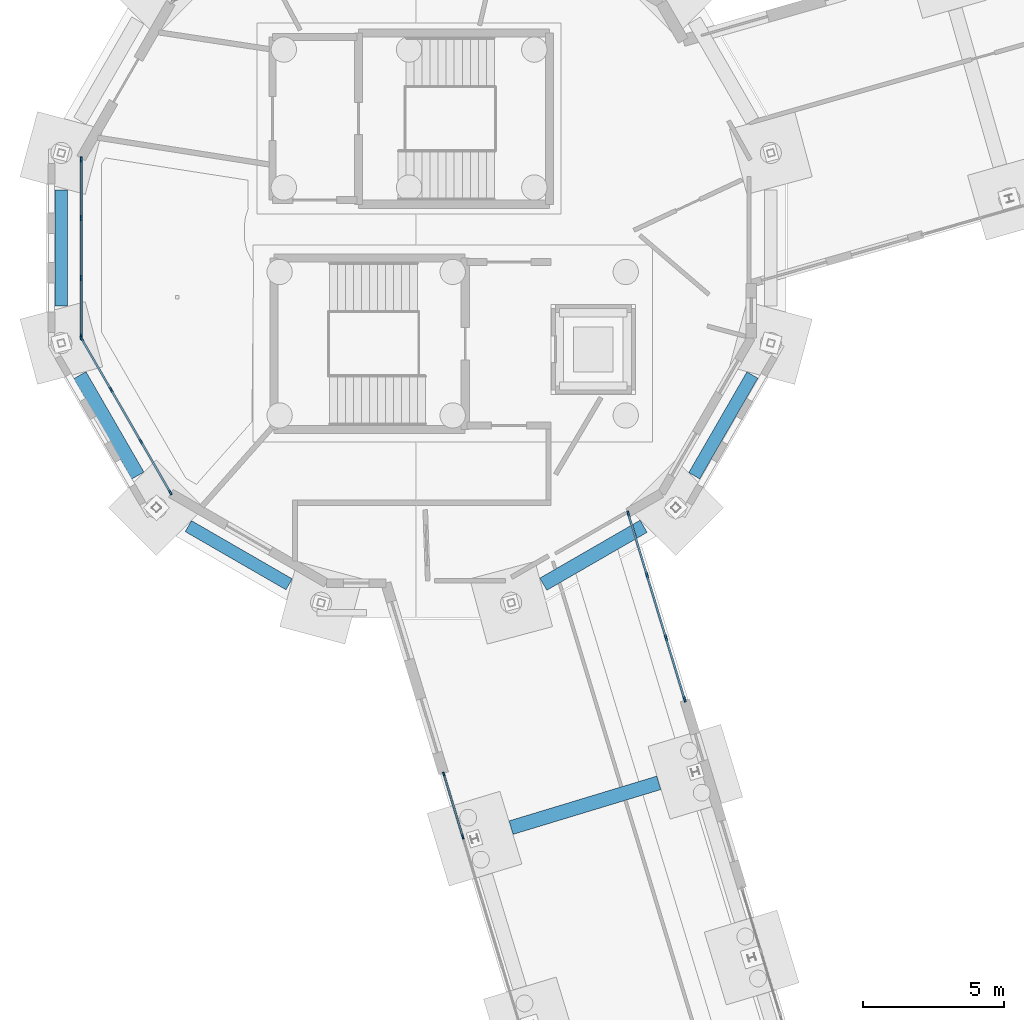
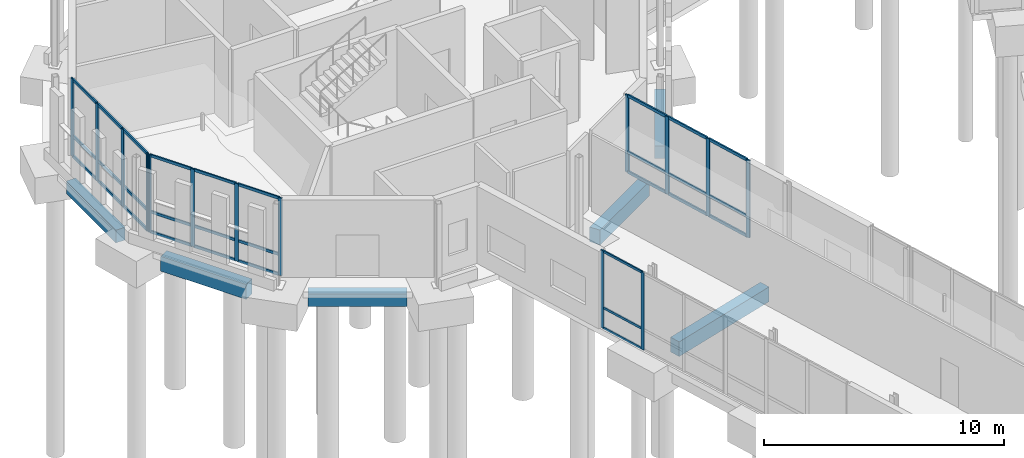
# One storey, part 39 of 113: 44 members, 6 beams, 4 elements without a shape of their own.
"""IFC4 building model written with IfcOpenShell, lengths in metres."""

from ifc_helpers import new_model, si_unit, direction, frame, origin, origin_2d, place, context, subcontext, project, spatial, rectangle, extrude, material, material_profile, profile_set, type_object, element, aggregate, save


model = new_model("IFC4")

# Units and contexts
model_context = context("Model", 3, precision=1e-05, world=origin(), true_north=direction((0.0, 1.0)))
body_context = subcontext(model_context, "Body", "Model", "MODEL_VIEW")
ifc_project = project(units=[si_unit("LENGTHUNIT", "METRE"), si_unit("AREAUNIT", "SQUARE_METRE"), si_unit("VOLUMEUNIT", "CUBIC_METRE"), si_unit("PLANEANGLEUNIT", "RADIAN"), si_unit("MASSUNIT", "GRAM", prefix="KILO")], contexts=[model_context])

# Site, building, storey
site_placement = place(None, origin())
site = spatial("IfcSite", under=ifc_project, at=site_placement, CompositionType="ELEMENT")
building_placement = place(site_placement, origin())
building = spatial("IfcBuilding", under=site, at=building_placement, Name="Wrenclough Park School", CompositionType="ELEMENT")
storey_placement = place(building_placement, origin())
storey = spatial("IfcBuildingStorey", under=building, at=storey_placement, Name="L00", CompositionType="ELEMENT", Elevation=0.0)

# Curtain wall, members
ifc_material_1 = material(Name="Thermally broken aluminium and low-e glass curtain wall", Category="aluminium")
curtain_wall_type_1 = type_object("IfcCurtainWallType", Name="ENV-CW-07", PredefinedType="USERDEFINED", material=ifc_material_1)
curtain_wall_1_placement = place(storey_placement, origin())
curtain_wall_1 = element("IfcCurtainWall", 1, at=curtain_wall_1_placement, inside=storey, type_object=curtain_wall_type_1, Name="L00 recessed curtain wall assembly 006", ObjectType="CURTAIN WALL", PredefinedType="USERDEFINED")
ifc_material_2 = material(Name="Thermally broken anodised aluminium", Category="aluminium")
ifc_material_profile_1 = material_profile(ifc_material_2, rectangle(XDim=0.06005859375, YDim=0.159912109375, at=origin_2d()), Name="AL MULLION 60x160")
ifc_profile_set_1 = profile_set([ifc_material_profile_1], Name="Thermally broken anodised aluminium")
member_type_1 = type_object("IfcMemberType", Name="ENV-CWM-1", PredefinedType="MULLION", material=ifc_profile_set_1)
member_1_placement = place(storey_placement, frame((18.157958984375, 68.5810546875, 0.0), z_axis=(0.0, 0.0, 1.0), x_axis=(-0.957026311955, -0.290001100386, 0.0)))
member_1 = element("IfcMember", 2, at=member_1_placement, type_object=member_type_1, Name="CW-07 mullion 3", PredefinedType="MULLION", context=body_context, shape_type="SweptSolid", body=[
    extrude(rectangle(XDim=0.06005859375, YDim=0.159912109375, at=origin_2d()), origin(), (0.0, 0.0, 1.0), 3.93994140625),
])
member_2_placement = place(storey_placement, frame((17.484619140625, 70.802734375, 0.0), z_axis=(0.0, 0.0, 1.0), x_axis=(-0.957026311955, -0.290001100386, 0.0)))
member_2 = element("IfcMember", 3, at=member_2_placement, type_object=member_type_1, Name="CW-07 mullion 4", PredefinedType="MULLION", context=body_context, shape_type="SweptSolid", body=[
    extrude(rectangle(XDim=0.06005859375, YDim=0.159912109375, at=origin_2d()), origin(), (0.0, 0.0, 1.0), 3.93994140625),
])

curtain_wall_type_2 = type_object("IfcCurtainWallType", Name="ENV-CW-08", PredefinedType="USERDEFINED", material=ifc_material_1)
curtain_wall_2_placement = place(storey_placement, origin())
curtain_wall_2 = element("IfcCurtainWall", 4, at=curtain_wall_2_placement, inside=storey, type_object=curtain_wall_type_2, Name="L00 recessed curtain wall assembly 007", ObjectType="CURTAIN WALL", PredefinedType="USERDEFINED")
ifc_material_profile_2 = material_profile(ifc_material_2, rectangle(XDim=0.06494140625, YDim=0.179931640625, at=origin_2d()), Name="AL MULLION 65x180")
ifc_profile_set_2 = profile_set([ifc_material_profile_2], Name="Thermally broken anodised aluminium")
member_type_2 = type_object("IfcMemberType", Name="ENV-CWM-2", PredefinedType="MULLION", material=ifc_profile_set_2)
member_3_placement = place(storey_placement, frame((7.76611328125, 80.81591796875, 0.0), z_axis=(0.0, 0.0, 1.0), x_axis=(-0.86602591075, -0.499999121909, 0.0)))
member_3 = element("IfcMember", 5, at=member_3_placement, type_object=member_type_2, Name="CW-08 mullion 1", PredefinedType="MULLION", context=body_context, shape_type="SweptSolid", body=[
    extrude(rectangle(XDim=0.06494140625, YDim=0.179931640625, at=origin_2d()), origin(), (0.0, 0.0, 1.0), 3.93994140625),
])
member_4_placement = place(storey_placement, frame((6.72021484375, 82.627197265625, 0.0), z_axis=(0.0, 0.0, 1.0), x_axis=(-0.86602591075, -0.499999121909, 0.0)))
member_4 = element("IfcMember", 6, at=member_4_placement, type_object=member_type_2, Name="CW-08 mullion 2", PredefinedType="MULLION", context=body_context, shape_type="SweptSolid", body=[
    extrude(rectangle(XDim=0.06494140625, YDim=0.179931640625, at=origin_2d()), origin(), (0.0, 0.0, 1.0), 3.93994140625),
])
member_5_placement = place(storey_placement, frame((5.658203125, 84.466796875, 0.0), z_axis=(0.0, 0.0, 1.0), x_axis=(-0.86602591075, -0.499999121909, 0.0)))
member_5 = element("IfcMember", 7, at=member_5_placement, type_object=member_type_2, Name="CW-08 mullion 3", PredefinedType="MULLION", context=body_context, shape_type="SweptSolid", body=[
    extrude(rectangle(XDim=0.06494140625, YDim=0.179931640625, at=origin_2d()), origin(), (0.0, 0.0, 1.0), 3.93994140625),
])
member_6_placement = place(storey_placement, frame((4.612548828125, 86.278076171875, 0.0), z_axis=(0.0, 0.0, 1.0), x_axis=(-0.86602591075, -0.499999121909, 0.0)))
member_6 = element("IfcMember", 8, at=member_6_placement, type_object=member_type_2, Name="CW-08 mullion 4", PredefinedType="MULLION", context=body_context, shape_type="SweptSolid", body=[
    extrude(rectangle(XDim=0.06494140625, YDim=0.179931640625, at=origin_2d()), origin(), (0.0, 0.0, 1.0), 3.93994140625),
])

curtain_wall_type_3 = type_object("IfcCurtainWallType", Name="ENV-CW-09", PredefinedType="USERDEFINED", material=ifc_material_1)
curtain_wall_3_placement = place(storey_placement, origin())
curtain_wall_3 = element("IfcCurtainWall", 9, at=curtain_wall_3_placement, inside=storey, type_object=curtain_wall_type_3, Name="L00 recessed curtain wall assembly 008", ObjectType="CURTAIN WALL", PredefinedType="USERDEFINED")
ifc_material_profile_3 = material_profile(ifc_material_2, rectangle(XDim=0.070068359375, YDim=0.199951171875, at=origin_2d()), Name="AL MULLION 70x200")
ifc_profile_set_3 = profile_set([ifc_material_profile_3], Name="Thermally broken anodised aluminium")
member_type_3 = type_object("IfcMemberType", Name="ENV-CWM-3", PredefinedType="MULLION", material=ifc_profile_set_3)
member_7_placement = place(storey_placement, frame((4.59423828125, 86.348876953125, 0.0), z_axis=(0.0, 0.0, 1.0), x_axis=(-1.0, 0.0, 0.0)))
member_7 = element("IfcMember", 10, at=member_7_placement, type_object=member_type_3, Name="CW-09 mullion 1", PredefinedType="MULLION", context=body_context, shape_type="SweptSolid", body=[
    extrude(rectangle(XDim=0.070068359375, YDim=0.199951171875, at=origin_2d()), origin(), (0.0, 0.0, 1.0), 3.93994140625),
])
member_8_placement = place(storey_placement, frame((4.59423828125, 88.43798828125, 0.0), z_axis=(0.0, 0.0, 1.0), x_axis=(-1.0, 0.0, 0.0)))
member_8 = element("IfcMember", 11, at=member_8_placement, type_object=member_type_3, Name="CW-09 mullion 2", PredefinedType="MULLION", context=body_context, shape_type="SweptSolid", body=[
    extrude(rectangle(XDim=0.070068359375, YDim=0.199951171875, at=origin_2d()), origin(), (0.0, 0.0, 1.0), 3.93994140625),
])
member_9_placement = place(storey_placement, frame((4.59423828125, 90.56201171875, 0.0), z_axis=(0.0, 0.0, 1.0), x_axis=(-1.0, 0.0, 0.0)))
member_9 = element("IfcMember", 12, at=member_9_placement, type_object=member_type_3, Name="CW-09 mullion 3", PredefinedType="MULLION", context=body_context, shape_type="SweptSolid", body=[
    extrude(rectangle(XDim=0.070068359375, YDim=0.199951171875, at=origin_2d()), origin(), (0.0, 0.0, 1.0), 3.93994140625),
])
member_10_placement = place(storey_placement, frame((4.59423828125, 92.651123046875, 0.0), z_axis=(0.0, 0.0, 1.0), x_axis=(-1.0, 0.0, 0.0)))
member_10 = element("IfcMember", 13, at=member_10_placement, type_object=member_type_3, Name="CW-09 mullion 4", PredefinedType="MULLION", context=body_context, shape_type="SweptSolid", body=[
    extrude(rectangle(XDim=0.070068359375, YDim=0.199951171875, at=origin_2d()), origin(), (0.0, 0.0, 1.0), 3.93994140625),
])

curtain_wall_type_4 = type_object("IfcCurtainWallType", Name="ENV-CW-01", PredefinedType="USERDEFINED", material=ifc_material_1)
curtain_wall_4_placement = place(storey_placement, origin())
curtain_wall_4 = element("IfcCurtainWall", 14, at=curtain_wall_4_placement, inside=storey, type_object=curtain_wall_type_4, Name="L00 recessed curtain wall assembly 080", ObjectType="CURTAIN WALL", PredefinedType="USERDEFINED")
member_11_placement = place(storey_placement, frame((24.041259765625, 80.0625, 0.0), z_axis=(0.0, 0.0, 1.0), x_axis=(0.957030078705, 0.289988669528, 0.0)))
member_11 = element("IfcMember", 15, at=member_11_placement, type_object=member_type_3, Name="CW-01 mullion 1", PredefinedType="MULLION", context=body_context, shape_type="SweptSolid", body=[
    extrude(rectangle(XDim=0.070068359375, YDim=0.199951171875, at=origin_2d()), origin(), (0.0, 0.0, 1.0), 3.93994140625),
])
member_12_placement = place(storey_placement, frame((24.704345703125, 77.87353515625, 0.0), z_axis=(0.0, 0.0, 1.0), x_axis=(0.957030078705, 0.289988669528, 0.0)))
member_12 = element("IfcMember", 16, at=member_12_placement, type_object=member_type_3, Name="CW-01 mullion 2", PredefinedType="MULLION", context=body_context, shape_type="SweptSolid", body=[
    extrude(rectangle(XDim=0.070068359375, YDim=0.199951171875, at=origin_2d()), origin(), (0.0, 0.0, 1.0), 3.93994140625),
])
member_13_placement = place(storey_placement, frame((25.377685546875, 75.6513671875, 0.0), z_axis=(0.0, 0.0, 1.0), x_axis=(0.957030078705, 0.289988669528, 0.0)))
member_13 = element("IfcMember", 17, at=member_13_placement, type_object=member_type_3, Name="CW-01 mullion 3", PredefinedType="MULLION", context=body_context, shape_type="SweptSolid", body=[
    extrude(rectangle(XDim=0.070068359375, YDim=0.199951171875, at=origin_2d()), origin(), (0.0, 0.0, 1.0), 3.93994140625),
])
member_14_placement = place(storey_placement, frame((26.041015625, 73.462646484375, 0.0), z_axis=(0.0, 0.0, 1.0), x_axis=(0.957030078705, 0.289988669528, 0.0)))
member_14 = element("IfcMember", 18, at=member_14_placement, type_object=member_type_3, Name="CW-01 mullion 4", PredefinedType="MULLION", context=body_context, shape_type="SweptSolid", body=[
    extrude(rectangle(XDim=0.070068359375, YDim=0.199951171875, at=origin_2d()), origin(), (0.0, 0.0, 1.0), 3.93994140625),
])

# Member
ifc_material_profile_4 = material_profile(ifc_material_2, rectangle(XDim=0.06005859375, YDim=0.1201171875, at=origin_2d()), Name="AL TRANSOM 60x120")
ifc_profile_set_4 = profile_set([ifc_material_profile_4], Name="Thermally broken anodised aluminium")
member_type_4 = type_object("IfcMemberType", Name="ENV-CWT-1", PredefinedType="USERDEFINED", material=ifc_profile_set_4)
member_15_placement = place(storey_placement, frame((18.149169921875, 68.60986328125, 0.030029296875), z_axis=(-0.289971439809, 0.957035299294, 0.0), x_axis=(-0.957035299294, -0.289971439809, 0.0)))
member_15 = element("IfcMember", 19, at=member_15_placement, type_object=member_type_4, Name="CW-07 transom 3.1", ObjectType="TRANSOM", PredefinedType="USERDEFINED", context=body_context, shape_type="SweptSolid", body=[
    extrude(rectangle(XDim=0.06005859375, YDim=0.1201171875, at=origin_2d()), origin(), (0.0, 0.0, 1.0), 2.261474609375),
])

member_16_placement = place(storey_placement, frame((18.149169921875, 68.60986328125, 1.050048828125), z_axis=(-0.289971439809, 0.957035299294, 0.0), x_axis=(-0.957035299294, -0.289971439809, 0.0)))
member_16 = element("IfcMember", 20, at=member_16_placement, type_object=member_type_4, Name="CW-07 transom 3.2", ObjectType="TRANSOM", PredefinedType="USERDEFINED", context=body_context, shape_type="SweptSolid", body=[
    extrude(rectangle(XDim=0.06005859375, YDim=0.1201171875, at=origin_2d()), origin(), (0.0, 0.0, 1.0), 2.261474609375),
])

member_17_placement = place(storey_placement, frame((18.149169921875, 68.60986328125, 3.909912109375), z_axis=(-0.289971439809, 0.957035299294, 0.0), x_axis=(-0.957035299294, -0.289971439809, 0.0)))
member_17 = element("IfcMember", 21, at=member_17_placement, type_object=member_type_4, Name="CW-07 transom 3.3", ObjectType="TRANSOM", PredefinedType="USERDEFINED", context=body_context, shape_type="SweptSolid", body=[
    extrude(rectangle(XDim=0.06005859375, YDim=0.1201171875, at=origin_2d()), origin(), (0.0, 0.0, 1.0), 2.261474609375),
])

aggregate(curtain_wall_1, [member_1, member_2, member_15, member_16, member_17])

ifc_material_profile_5 = material_profile(ifc_material_2, rectangle(XDim=0.06494140625, YDim=0.139892578125, at=origin_2d()), Name="AL TRANSOM 65x140")
ifc_profile_set_5 = profile_set([ifc_material_profile_5], Name="Thermally broken anodised aluminium")
member_type_5 = type_object("IfcMemberType", Name="ENV-CWT-2", PredefinedType="USERDEFINED", material=ifc_profile_set_5)
member_18_placement = place(storey_placement, frame((7.749755859375, 80.843994140625, 0.032470703125), z_axis=(-0.499948400353, 0.866055192805, 0.0), x_axis=(-0.866055192805, -0.499948400353, 0.0)))
member_18 = element("IfcMember", 22, at=member_18_placement, type_object=member_type_5, Name="CW-08 transom 1.1", ObjectType="TRANSOM", PredefinedType="USERDEFINED", context=body_context, shape_type="SweptSolid", body=[
    extrude(rectangle(XDim=0.06494140625, YDim=0.139892578125, at=origin_2d()), origin(), (0.0, 0.0, 1.0), 2.026611328125),
])

member_19_placement = place(storey_placement, frame((7.749755859375, 80.843994140625, 1.050048828125), z_axis=(-0.499948400353, 0.866055192805, 0.0), x_axis=(-0.866055192805, -0.499948400353, 0.0)))
member_19 = element("IfcMember", 23, at=member_19_placement, type_object=member_type_5, Name="CW-08 transom 1.2", ObjectType="TRANSOM", PredefinedType="USERDEFINED", context=body_context, shape_type="SweptSolid", body=[
    extrude(rectangle(XDim=0.06494140625, YDim=0.139892578125, at=origin_2d()), origin(), (0.0, 0.0, 1.0), 2.026611328125),
])

member_20_placement = place(storey_placement, frame((7.749755859375, 80.843994140625, 3.907470703125), z_axis=(-0.499948400353, 0.866055192805, 0.0), x_axis=(-0.866055192805, -0.499948400353, 0.0)))
member_20 = element("IfcMember", 24, at=member_20_placement, type_object=member_type_5, Name="CW-08 transom 1.3", ObjectType="TRANSOM", PredefinedType="USERDEFINED", context=body_context, shape_type="SweptSolid", body=[
    extrude(rectangle(XDim=0.06494140625, YDim=0.139892578125, at=origin_2d()), origin(), (0.0, 0.0, 1.0), 2.026611328125),
])

member_21_placement = place(storey_placement, frame((6.7041015625, 82.655517578125, 0.032470703125), z_axis=(-0.50000299093, 0.866023676963, 0.0), x_axis=(-0.866023676963, -0.50000299093, 0.0)))
member_21 = element("IfcMember", 25, at=member_21_placement, type_object=member_type_5, Name="CW-08 transom 2.1", ObjectType="TRANSOM", PredefinedType="USERDEFINED", context=body_context, shape_type="SweptSolid", body=[
    extrude(rectangle(XDim=0.06494140625, YDim=0.139892578125, at=origin_2d()), origin(), (0.0, 0.0, 1.0), 2.05908203125),
])

member_22_placement = place(storey_placement, frame((6.7041015625, 82.655517578125, 1.050048828125), z_axis=(-0.50000299093, 0.866023676963, 0.0), x_axis=(-0.866023676963, -0.50000299093, 0.0)))
member_22 = element("IfcMember", 26, at=member_22_placement, type_object=member_type_5, Name="CW-08 transom 2.2", ObjectType="TRANSOM", PredefinedType="USERDEFINED", context=body_context, shape_type="SweptSolid", body=[
    extrude(rectangle(XDim=0.06494140625, YDim=0.139892578125, at=origin_2d()), origin(), (0.0, 0.0, 1.0), 2.05908203125),
])

member_23_placement = place(storey_placement, frame((6.7041015625, 82.655517578125, 3.907470703125), z_axis=(-0.50000299093, 0.866023676963, 0.0), x_axis=(-0.866023676963, -0.50000299093, 0.0)))
member_23 = element("IfcMember", 27, at=member_23_placement, type_object=member_type_5, Name="CW-08 transom 2.3", ObjectType="TRANSOM", PredefinedType="USERDEFINED", context=body_context, shape_type="SweptSolid", body=[
    extrude(rectangle(XDim=0.06494140625, YDim=0.139892578125, at=origin_2d()), origin(), (0.0, 0.0, 1.0), 2.05908203125),
])

member_24_placement = place(storey_placement, frame((5.64208984375, 84.494873046875, 0.032470703125), z_axis=(-0.500038750527, 0.866003030001, 0.0), x_axis=(-0.866003030001, -0.500038750527, 0.0)))
member_24 = element("IfcMember", 28, at=member_24_placement, type_object=member_type_5, Name="CW-08 transom 3.1", ObjectType="TRANSOM", PredefinedType="USERDEFINED", context=body_context, shape_type="SweptSolid", body=[
    extrude(rectangle(XDim=0.06494140625, YDim=0.139892578125, at=origin_2d()), origin(), (0.0, 0.0, 1.0), 2.026611328125),
])

member_25_placement = place(storey_placement, frame((5.64208984375, 84.494873046875, 1.050048828125), z_axis=(-0.500038750527, 0.866003030001, 0.0), x_axis=(-0.866003030001, -0.500038750527, 0.0)))
member_25 = element("IfcMember", 29, at=member_25_placement, type_object=member_type_5, Name="CW-08 transom 3.2", ObjectType="TRANSOM", PredefinedType="USERDEFINED", context=body_context, shape_type="SweptSolid", body=[
    extrude(rectangle(XDim=0.06494140625, YDim=0.139892578125, at=origin_2d()), origin(), (0.0, 0.0, 1.0), 2.026611328125),
])

member_26_placement = place(storey_placement, frame((5.64208984375, 84.494873046875, 3.907470703125), z_axis=(-0.500038750527, 0.866003030001, 0.0), x_axis=(-0.866003030001, -0.500038750527, 0.0)))
member_26 = element("IfcMember", 30, at=member_26_placement, type_object=member_type_5, Name="CW-08 transom 3.3", ObjectType="TRANSOM", PredefinedType="USERDEFINED", context=body_context, shape_type="SweptSolid", body=[
    extrude(rectangle(XDim=0.06494140625, YDim=0.139892578125, at=origin_2d()), origin(), (0.0, 0.0, 1.0), 2.026611328125),
])

aggregate(curtain_wall_2, [member_3, member_4, member_5, member_6, member_18, member_19, member_20, member_21, member_22, member_23, member_24, member_25, member_26])

ifc_material_profile_6 = material_profile(ifc_material_2, rectangle(XDim=0.070068359375, YDim=0.14990234375, at=origin_2d()), Name="AL TRANSOM 70x150")
ifc_profile_set_6 = profile_set([ifc_material_profile_6], Name="Thermally broken anodised aluminium")
member_type_6 = type_object("IfcMemberType", Name="ENV-CWT-3", PredefinedType="USERDEFINED", material=ifc_profile_set_6)
member_27_placement = place(storey_placement, frame((4.59423828125, 86.3837890625, 0.034912109375), z_axis=(0.0, 1.0, 0.0), x_axis=(-1.0, 0.0, 0.0)))
member_27 = element("IfcMember", 31, at=member_27_placement, type_object=member_type_6, Name="CW-09 transom 1.1", ObjectType="TRANSOM", PredefinedType="USERDEFINED", context=body_context, shape_type="SweptSolid", body=[
    extrude(rectangle(XDim=0.070068359375, YDim=0.14990234375, at=origin_2d()), origin(), (0.0, 0.0, 1.0), 2.01904296875),
])

member_28_placement = place(storey_placement, frame((4.59423828125, 86.3837890625, 1.050048828125), z_axis=(0.0, 1.0, 0.0), x_axis=(-1.0, 0.0, 0.0)))
member_28 = element("IfcMember", 32, at=member_28_placement, type_object=member_type_6, Name="CW-09 transom 1.2", ObjectType="TRANSOM", PredefinedType="USERDEFINED", context=body_context, shape_type="SweptSolid", body=[
    extrude(rectangle(XDim=0.070068359375, YDim=0.14990234375, at=origin_2d()), origin(), (0.0, 0.0, 1.0), 2.01904296875),
])

member_29_placement = place(storey_placement, frame((4.59423828125, 86.3837890625, 3.905029296875), z_axis=(0.0, 1.0, 0.0), x_axis=(-1.0, 0.0, 0.0)))
member_29 = element("IfcMember", 33, at=member_29_placement, type_object=member_type_6, Name="CW-09 transom 1.3", ObjectType="TRANSOM", PredefinedType="USERDEFINED", context=body_context, shape_type="SweptSolid", body=[
    extrude(rectangle(XDim=0.070068359375, YDim=0.14990234375, at=origin_2d()), origin(), (0.0, 0.0, 1.0), 2.01904296875),
])

member_30_placement = place(storey_placement, frame((4.59423828125, 88.472900390625, 0.034912109375), z_axis=(0.0, 1.0, 0.0), x_axis=(-1.0, 0.0, 0.0)))
member_30 = element("IfcMember", 34, at=member_30_placement, type_object=member_type_6, Name="CW-09 transom 2.1", ObjectType="TRANSOM", PredefinedType="USERDEFINED", context=body_context, shape_type="SweptSolid", body=[
    extrude(rectangle(XDim=0.070068359375, YDim=0.14990234375, at=origin_2d()), origin(), (0.0, 0.0, 1.0), 2.05419921875),
])

member_31_placement = place(storey_placement, frame((4.59423828125, 88.472900390625, 1.050048828125), z_axis=(0.0, 1.0, 0.0), x_axis=(-1.0, 0.0, 0.0)))
member_31 = element("IfcMember", 35, at=member_31_placement, type_object=member_type_6, Name="CW-09 transom 2.2", ObjectType="TRANSOM", PredefinedType="USERDEFINED", context=body_context, shape_type="SweptSolid", body=[
    extrude(rectangle(XDim=0.070068359375, YDim=0.14990234375, at=origin_2d()), origin(), (0.0, 0.0, 1.0), 2.05419921875),
])

member_32_placement = place(storey_placement, frame((4.59423828125, 88.472900390625, 3.905029296875), z_axis=(0.0, 1.0, 0.0), x_axis=(-1.0, 0.0, 0.0)))
member_32 = element("IfcMember", 36, at=member_32_placement, type_object=member_type_6, Name="CW-09 transom 2.3", ObjectType="TRANSOM", PredefinedType="USERDEFINED", context=body_context, shape_type="SweptSolid", body=[
    extrude(rectangle(XDim=0.070068359375, YDim=0.14990234375, at=origin_2d()), origin(), (0.0, 0.0, 1.0), 2.05419921875),
])

member_33_placement = place(storey_placement, frame((4.59423828125, 90.59716796875, 0.034912109375), z_axis=(0.0, 1.0, 0.0), x_axis=(-1.0, 0.0, 0.0)))
member_33 = element("IfcMember", 37, at=member_33_placement, type_object=member_type_6, Name="CW-09 transom 3.1", ObjectType="TRANSOM", PredefinedType="USERDEFINED", context=body_context, shape_type="SweptSolid", body=[
    extrude(rectangle(XDim=0.070068359375, YDim=0.14990234375, at=origin_2d()), origin(), (0.0, 0.0, 1.0), 2.01904296875),
])

member_34_placement = place(storey_placement, frame((4.59423828125, 90.59716796875, 1.050048828125), z_axis=(0.0, 1.0, 0.0), x_axis=(-1.0, 0.0, 0.0)))
member_34 = element("IfcMember", 38, at=member_34_placement, type_object=member_type_6, Name="CW-09 transom 3.2", ObjectType="TRANSOM", PredefinedType="USERDEFINED", context=body_context, shape_type="SweptSolid", body=[
    extrude(rectangle(XDim=0.070068359375, YDim=0.14990234375, at=origin_2d()), origin(), (0.0, 0.0, 1.0), 2.01904296875),
])

member_35_placement = place(storey_placement, frame((4.59423828125, 90.59716796875, 3.905029296875), z_axis=(0.0, 1.0, 0.0), x_axis=(-1.0, 0.0, 0.0)))
member_35 = element("IfcMember", 39, at=member_35_placement, type_object=member_type_6, Name="CW-09 transom 3.3", ObjectType="TRANSOM", PredefinedType="USERDEFINED", context=body_context, shape_type="SweptSolid", body=[
    extrude(rectangle(XDim=0.070068359375, YDim=0.14990234375, at=origin_2d()), origin(), (0.0, 0.0, 1.0), 2.01904296875),
])

aggregate(curtain_wall_3, [member_7, member_8, member_9, member_10, member_27, member_28, member_29, member_30, member_31, member_32, member_33, member_34, member_35])

member_36_placement = place(storey_placement, frame((24.05126953125, 80.02880859375, 0.034912109375), z_axis=(0.290074637826, -0.957004025326, 0.0), x_axis=(0.957004025326, 0.290074637826, 0.0)))
member_36 = element("IfcMember", 40, at=member_36_placement, type_object=member_type_6, Name="CW-01 transom 1.1", ObjectType="TRANSOM", PredefinedType="USERDEFINED", context=body_context, shape_type="SweptSolid", body=[
    extrude(rectangle(XDim=0.070068359375, YDim=0.14990234375, at=origin_2d()), origin(), (0.0, 0.0, 1.0), 2.216796875),
])

member_37_placement = place(storey_placement, frame((24.05126953125, 80.02880859375, 1.050048828125), z_axis=(0.290074637826, -0.957004025326, 0.0), x_axis=(0.957004025326, 0.290074637826, 0.0)))
member_37 = element("IfcMember", 41, at=member_37_placement, type_object=member_type_6, Name="CW-01 transom 1.2", ObjectType="TRANSOM", PredefinedType="USERDEFINED", context=body_context, shape_type="SweptSolid", body=[
    extrude(rectangle(XDim=0.070068359375, YDim=0.14990234375, at=origin_2d()), origin(), (0.0, 0.0, 1.0), 2.216796875),
])

member_38_placement = place(storey_placement, frame((24.05126953125, 80.02880859375, 3.905029296875), z_axis=(0.290074637826, -0.957004025326, 0.0), x_axis=(0.957004025326, 0.290074637826, 0.0)))
member_38 = element("IfcMember", 42, at=member_38_placement, type_object=member_type_6, Name="CW-01 transom 1.3", ObjectType="TRANSOM", PredefinedType="USERDEFINED", context=body_context, shape_type="SweptSolid", body=[
    extrude(rectangle(XDim=0.070068359375, YDim=0.14990234375, at=origin_2d()), origin(), (0.0, 0.0, 1.0), 2.216796875),
])

member_39_placement = place(storey_placement, frame((24.714599609375, 77.840087890625, 0.034912109375), z_axis=(0.289992351194, -0.957028963119, 0.0), x_axis=(0.957028963119, 0.289992351194, 0.0)))
member_39 = element("IfcMember", 43, at=member_39_placement, type_object=member_type_6, Name="CW-01 transom 2.1", ObjectType="TRANSOM", PredefinedType="USERDEFINED", context=body_context, shape_type="SweptSolid", body=[
    extrude(rectangle(XDim=0.070068359375, YDim=0.14990234375, at=origin_2d()), origin(), (0.0, 0.0, 1.0), 2.251953125),
])

member_40_placement = place(storey_placement, frame((24.714599609375, 77.840087890625, 1.050048828125), z_axis=(0.289992351194, -0.957028963119, 0.0), x_axis=(0.957028963119, 0.289992351194, 0.0)))
member_40 = element("IfcMember", 44, at=member_40_placement, type_object=member_type_6, Name="CW-01 transom 2.2", ObjectType="TRANSOM", PredefinedType="USERDEFINED", context=body_context, shape_type="SweptSolid", body=[
    extrude(rectangle(XDim=0.070068359375, YDim=0.14990234375, at=origin_2d()), origin(), (0.0, 0.0, 1.0), 2.251953125),
])

member_41_placement = place(storey_placement, frame((24.714599609375, 77.840087890625, 3.905029296875), z_axis=(0.289992351194, -0.957028963119, 0.0), x_axis=(0.957028963119, 0.289992351194, 0.0)))
member_41 = element("IfcMember", 45, at=member_41_placement, type_object=member_type_6, Name="CW-01 transom 2.3", ObjectType="TRANSOM", PredefinedType="USERDEFINED", context=body_context, shape_type="SweptSolid", body=[
    extrude(rectangle(XDim=0.070068359375, YDim=0.14990234375, at=origin_2d()), origin(), (0.0, 0.0, 1.0), 2.251953125),
])

member_42_placement = place(storey_placement, frame((25.387939453125, 75.617919921875, 0.034912109375), z_axis=(0.289943212598, -0.957043851382, 0.0), x_axis=(0.957043851382, 0.289943212598, 0.0)))
member_42 = element("IfcMember", 46, at=member_42_placement, type_object=member_type_6, Name="CW-01 transom 3.1", ObjectType="TRANSOM", PredefinedType="USERDEFINED", context=body_context, shape_type="SweptSolid", body=[
    extrude(rectangle(XDim=0.070068359375, YDim=0.14990234375, at=origin_2d()), origin(), (0.0, 0.0, 1.0), 2.217041015625),
])

member_43_placement = place(storey_placement, frame((25.387939453125, 75.617919921875, 1.050048828125), z_axis=(0.289943212598, -0.957043851382, 0.0), x_axis=(0.957043851382, 0.289943212598, 0.0)))
member_43 = element("IfcMember", 47, at=member_43_placement, type_object=member_type_6, Name="CW-01 transom 3.2", ObjectType="TRANSOM", PredefinedType="USERDEFINED", context=body_context, shape_type="SweptSolid", body=[
    extrude(rectangle(XDim=0.070068359375, YDim=0.14990234375, at=origin_2d()), origin(), (0.0, 0.0, 1.0), 2.217041015625),
])

member_44_placement = place(storey_placement, frame((25.387939453125, 75.617919921875, 3.905029296875), z_axis=(0.289943212598, -0.957043851382, 0.0), x_axis=(0.957043851382, 0.289943212598, 0.0)))
member_44 = element("IfcMember", 48, at=member_44_placement, type_object=member_type_6, Name="CW-01 transom 3.3", ObjectType="TRANSOM", PredefinedType="USERDEFINED", context=body_context, shape_type="SweptSolid", body=[
    extrude(rectangle(XDim=0.070068359375, YDim=0.14990234375, at=origin_2d()), origin(), (0.0, 0.0, 1.0), 2.217041015625),
])

aggregate(curtain_wall_4, [member_11, member_12, member_13, member_14, member_36, member_37, member_38, member_39, member_40, member_41, member_42, member_43, member_44])

# Beams
ifc_material_3 = material(Name="Concrete C35/45", Category="concrete")
ifc_material_profile_7 = material_profile(ifc_material_3, rectangle(XDim=0.449951171875, YDim=0.64990234375, at=origin_2d()), Name="RC GROUND 450x650")
ifc_profile_set_7 = profile_set([ifc_material_profile_7], Name="Concrete C35/45")
beam_type_1 = type_object("IfcBeamType", Name="STR-BM-GTB1", PredefinedType="USERDEFINED", material=ifc_profile_set_7)
for number, where, z_axis, x_axis, name in (
    (49, (3.894775390625, 91.56689453125, -0.625), (0.0, -1.0, 0.0), (1.0, 0.0, 0.0), "Reinforced concrete ground tie beam 069"),
    (50, (8.4072265625, 79.616943359375, -0.625), (0.866032163869, -0.499988291006, 0.0), (0.499988291006, 0.866032163869, 0.0), "Reinforced concrete ground tie beam 071"),
    (51, (26.383056640625, 81.4072265625, -0.625), (0.499988291006, 0.866032163869, 0.0), (-0.866032163869, 0.499988291006, 0.0), "Reinforced concrete ground tie beam 073"),
):
    element("IfcBeam", number, at=place(storey_placement, frame(where, z_axis=z_axis, x_axis=x_axis)), inside=storey, type_object=beam_type_1, Name=name, ObjectType="GROUND TIE BEAM", PredefinedType="USERDEFINED", context=body_context, shape_type="SweptSolid", body=[
        extrude(rectangle(XDim=0.449951171875, YDim=0.64990234375, at=origin_2d()), origin(), (0.0, 0.0, 1.0), 4.1337890625),
    ])
ifc_material_profile_8 = material_profile(ifc_material_3, rectangle(XDim=0.5, YDim=0.75, at=origin_2d()), Name="RC GROUND 500x750")
ifc_profile_set_8 = profile_set([ifc_material_profile_8], Name="Concrete C35/45")
beam_type_2 = type_object("IfcBeamType", Name="STR-BM-GTB2", PredefinedType="USERDEFINED", material=ifc_profile_set_8)
for number, where, z_axis, x_axis, name in (
    (52, (4.553955078125, 84.98046875, -0.675048828125), (0.500028662945, -0.866008854593, 0.0), (0.866008854593, 0.500028662945, 0.0), "Reinforced concrete ground tie beam 070"),
    (53, (21.01953125, 77.553955078125, -0.675048828125), (0.866008854593, 0.500028662945, 0.0), (-0.500028662945, 0.866008854593, 0.0), "Reinforced concrete ground tie beam 072"),
):
    element("IfcBeam", number, at=place(storey_placement, frame(where, z_axis=z_axis, x_axis=x_axis)), inside=storey, type_object=beam_type_2, Name=name, ObjectType="GROUND TIE BEAM", PredefinedType="USERDEFINED", context=body_context, shape_type="SweptSolid", body=[
        extrude(rectangle(XDim=0.5, YDim=0.75, at=origin_2d()), origin(), (0.0, 0.0, 1.0), 4.117919921875),
    ])
beam_placement = place(storey_placement, frame((19.875732421875, 68.90478515625, -0.675048828125), z_axis=(0.957031143535, 0.289985155316, 0.0), x_axis=(-0.289985155316, 0.957031143535, 0.0)))
element("IfcBeam", 54, at=beam_placement, inside=storey, type_object=beam_type_2, Name="Reinforced concrete ground tie beam 138", ObjectType="GROUND TIE BEAM", PredefinedType="USERDEFINED", context=body_context, shape_type="SweptSolid", body=[
    extrude(rectangle(XDim=0.5, YDim=0.75, at=origin_2d()), origin(), (0.0, 0.0, 1.0), 5.484130859375),
])

save(model, "model.ifc")
